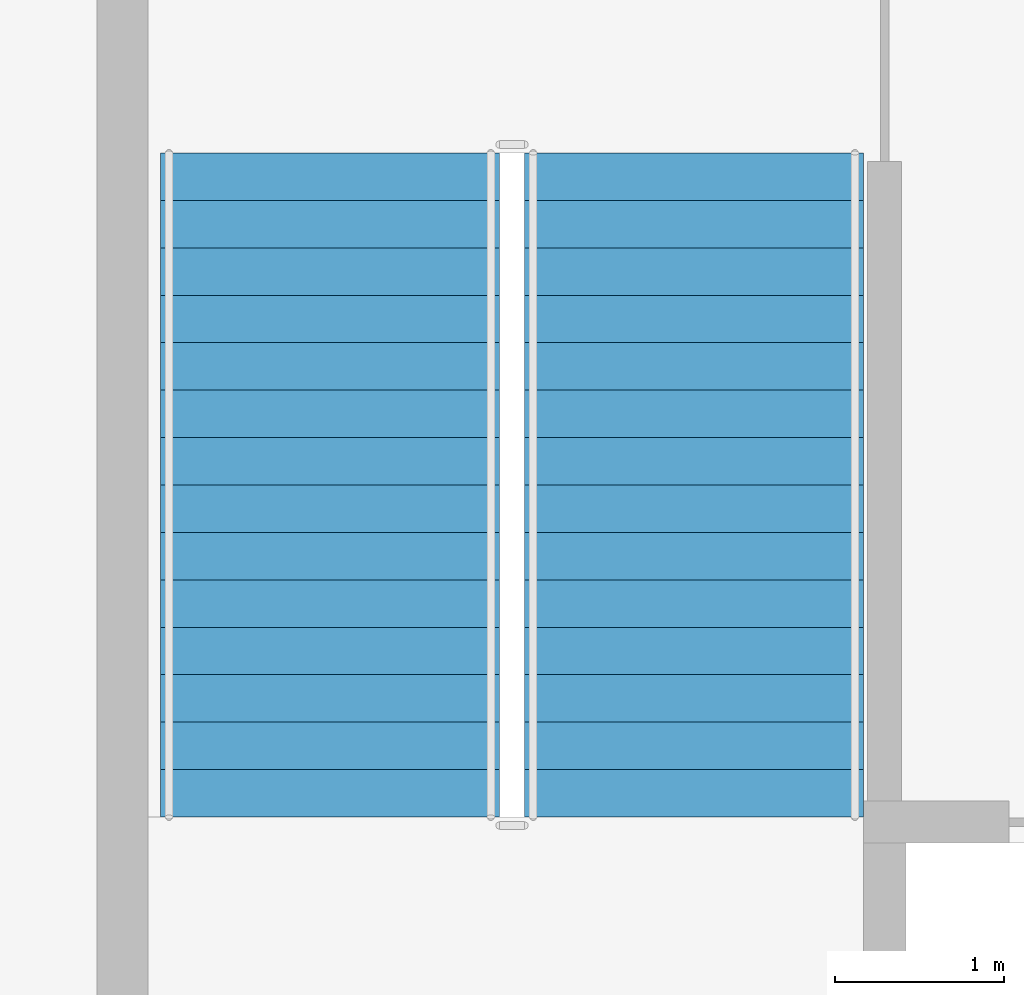
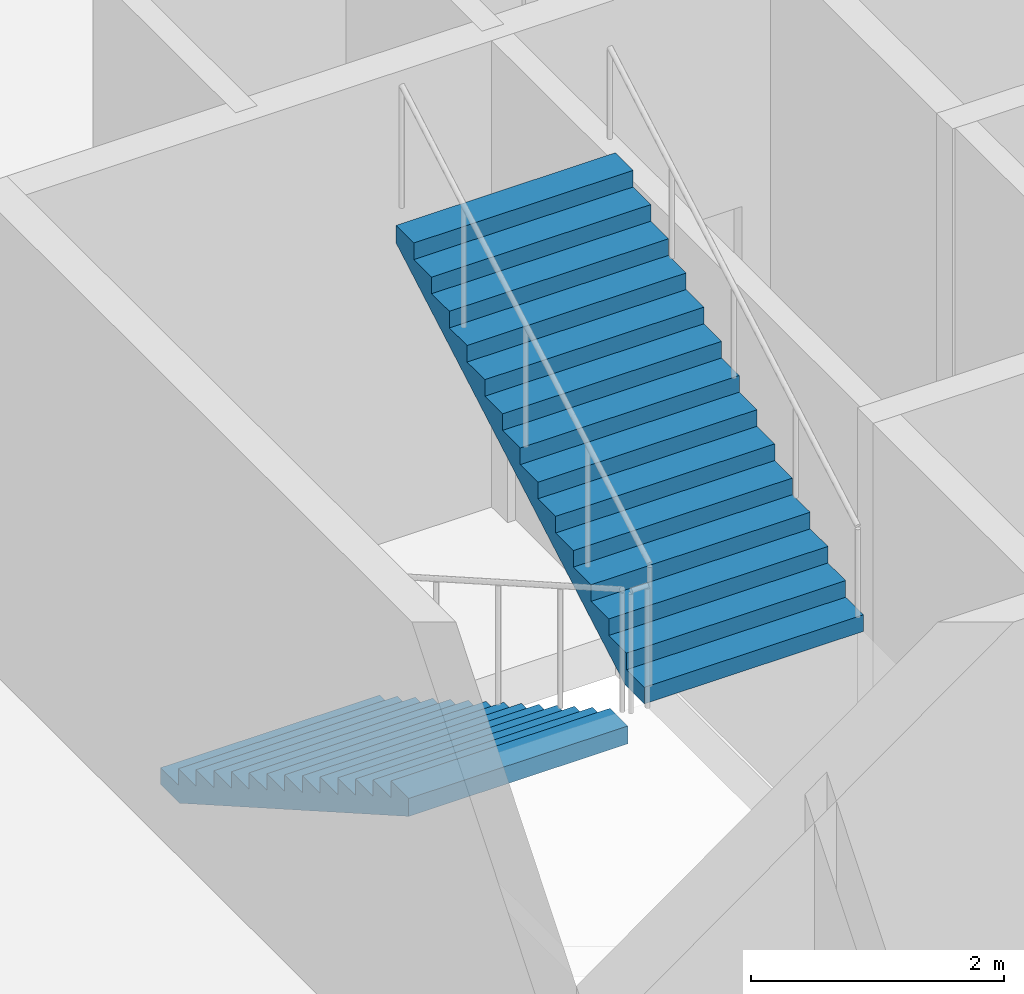
# One storey, part 5 of 10: 2 stair flights, 1 element without a shape of its own.
"""IFC4 building model written with IfcOpenShell, lengths in metres."""

import ifcopenshell
import ifcopenshell.guid

model = None  # the IFC model being written
_history = None  # IfcOwnerHistory: only IFC2X3 demands one
_inside = {}  # id of a spatial element -> (the spatial element, [elements in it])
_under = {}  # id of a project, library or spatial element -> (it, [spatial elements below it])
_declared = {}  # id of a project -> (the project, [libraries it declares])
_typed = {}  # id of a type object -> (the type object, [elements of that type])
_made_of = {}  # id of a material, layer set ... -> (it, [elements and type objects made of it])


def new_model(schema):
    """Start an empty IFC model of exactly this schema.

    Asked for "IFC4X3", IfcOpenShell would pick the latest addendum, in which some entities
    have other attributes; the version numbers below select the first issue.
    IFC2X3 requires an IfcOwnerHistory on every rooted entity: one is made here for all.
    """
    global model, _history
    if schema == "IFC4X3":
        model = ifcopenshell.file(schema_version=(4, 3, 0, 0))
    else:
        model = ifcopenshell.file(schema=schema)
    _inside.clear()
    _under.clear()
    _declared.clear()
    _typed.clear()
    _made_of.clear()
    _history = None
    if model.schema == "IFC2X3":
        org = make("IfcOrganization", Name="unknown")
        user = make(
            "IfcPersonAndOrganization",
            ThePerson=make("IfcPerson", FamilyName="unknown"),
            TheOrganization=org,
        )
        app = make(
            "IfcApplication",
            ApplicationDeveloper=org,
            Version="unknown",
            ApplicationFullName="unknown",
            ApplicationIdentifier="unknown",
        )
        _history = make(
            "IfcOwnerHistory",
            OwningUser=user,
            OwningApplication=app,
            ChangeAction="ADDED",
            CreationDate=0,
        )
    return model


def make(cls, **values):
    """One entity of the class cls with the attributes given. An attribute that is None is left unset."""
    return model.create_entity(
        cls, **{name: value for name, value in values.items() if value is not None}
    )


def rooted(cls, **values):
    """An entity with a GlobalId (a new one), such as an element, a storey or a relation."""
    return make(cls, GlobalId=ifcopenshell.guid.new(), OwnerHistory=_history, **values)


def si_unit(unit_type, name, prefix=None):
    """IfcSIUnit, for example si_unit("LENGTHUNIT", "METRE", prefix="MILLI")."""
    return make("IfcSIUnit", UnitType=unit_type, Prefix=prefix, Name=name)


def assignment(units):
    """IfcUnitAssignment: the units of a project."""
    return None if units is None else make("IfcUnitAssignment", Units=units)


def point(xyz):
    """IfcCartesianPoint."""
    return None if xyz is None else make("IfcCartesianPoint", Coordinates=xyz)


def direction(xyz):
    """IfcDirection."""
    return None if xyz is None else make("IfcDirection", DirectionRatios=xyz)


def frame(location, z_axis=None, x_axis=None):
    """IfcAxis2Placement3D, a coordinate frame: its origin and axes. An axis left out is left unset."""
    return make(
        "IfcAxis2Placement3D",
        Location=point(location),
        Axis=direction(z_axis),
        RefDirection=direction(x_axis),
    )


def origin():
    """The frame at (0, 0, 0) with its axes left unset."""
    return frame((0.0, 0.0, 0.0))


def place(relative_to, where):
    """IfcLocalPlacement: puts the frame where relative to a parent placement (None: the world)."""
    return make(
        "IfcLocalPlacement", PlacementRelTo=relative_to, RelativePlacement=where
    )


def context(
    kind, dimensions, precision=None, world=None, true_north=None, identifier=None
):
    """IfcGeometricRepresentationContext, for example the 3D "Model" context."""
    return make(
        "IfcGeometricRepresentationContext",
        ContextIdentifier=identifier,
        ContextType=kind,
        CoordinateSpaceDimension=dimensions,
        Precision=precision,
        WorldCoordinateSystem=world,
        TrueNorth=true_north,
    )


def subcontext(parent, identifier, kind, view, scale=None):
    """IfcGeometricRepresentationSubContext, for example "Body" below "Model"."""
    return make(
        "IfcGeometricRepresentationSubContext",
        ContextIdentifier=identifier,
        ContextType=kind,
        ParentContext=parent,
        TargetScale=scale,
        TargetView=view,
    )


def project(units=None, contexts=None):
    """IfcProject with its units and contexts."""
    return rooted(
        "IfcProject",
        Name="project",
        RepresentationContexts=contexts,
        UnitsInContext=assignment(units),
    )


def spatial(cls, under=None, at=None, **own):
    """A site, building, storey or space (cls), placed at a placement, below another one or the project."""
    s = rooted(cls, ObjectPlacement=at, **own)
    if under is not None:
        _under.setdefault(under.id(), (under, []))[1].append(s)
    return s


def point_list(points):
    """IfcCartesianPointList2D or 3D."""
    cls = (
        "IfcCartesianPointList2D" if len(points[0]) == 2 else "IfcCartesianPointList3D"
    )
    return make(cls, CoordList=points)


def polygons(points, faces, closed=None, point_numbers=None):
    """IfcPolygonalFaceSet: a face is its outer loop, then its inner loops; points numbered from 1."""
    made = []
    for loops in faces:
        if len(loops) == 1:
            made.append(make("IfcIndexedPolygonalFace", CoordIndex=loops[0]))
        else:
            made.append(
                make(
                    "IfcIndexedPolygonalFaceWithVoids",
                    CoordIndex=loops[0],
                    InnerCoordIndices=loops[1:],
                )
            )
    return make(
        "IfcPolygonalFaceSet",
        Coordinates=point_list(points),
        Closed=closed,
        Faces=made,
        PnIndex=point_numbers,
    )


def shape(context_of_items, identifier, shape_type, items):
    """IfcShapeRepresentation: the items that make up one representation, for example the "Body"."""
    return make(
        "IfcShapeRepresentation",
        ContextOfItems=context_of_items,
        RepresentationIdentifier=identifier,
        RepresentationType=shape_type,
        Items=items,
    )


def material(Name=None, Category=None):
    """IfcMaterial."""
    return make("IfcMaterial", Name=Name, Category=Category)


def made_of(thing, what):
    """Note that an element or type object is made of a material, layer set ...; save() writes the relation."""
    if what is not None:
        _made_of.setdefault(what.id(), (what, []))[1].append(thing)
    return thing


def type_object(cls, material=None, **own):
    """A type object (cls), such as IfcWallType, which elements share."""
    return made_of(rooted(cls, **own), material)


def element(
    cls,
    number,
    at=None,
    inside=None,
    cuts=None,
    type_object=None,
    material=None,
    context=None,
    identifier="Body",
    shape_type=None,
    held_by="IfcProductDefinitionShape",
    body=None,
    shapes=None,
    **own,
):
    """One element of the class cls, such as IfcWall. Its Tag is "e" and its number.

    at: its placement. inside: the storey or other place that contains it. cuts: it is an
    opening in that element (IfcRelVoidsElement). A single representation is given by context,
    identifier, shape_type and body (its items); several are given by shapes. held_by: the class
    of the entity that holds the representations. save() writes the other relations.
    """
    e = rooted(cls, Tag="e%d" % number, ObjectPlacement=at, **own)
    if body is not None:
        shapes = [shape(context, identifier, shape_type, body)]
    if shapes is not None:
        e.Representation = make(held_by, Representations=shapes)
    if inside is not None:
        _inside.setdefault(inside.id(), (inside, []))[1].append(e)
    if cuts is not None:
        rooted(
            "IfcRelVoidsElement", RelatingBuildingElement=cuts, RelatedOpeningElement=e
        )
    if type_object is not None:
        _typed.setdefault(type_object.id(), (type_object, []))[1].append(e)
    return made_of(e, material)


def aggregate(whole, parts):
    """IfcRelAggregates: a whole, such as a stair, and the parts it consists of."""
    return rooted("IfcRelAggregates", RelatingObject=whole, RelatedObjects=parts)


def save(model, path):
    """Write the relations noted so far, then the file.

    IfcRelAggregates (storeys below a building ...), IfcRelContainedInSpatialStructure (elements
    in a storey), IfcRelDefinesByType, IfcRelAssociatesMaterial and IfcRelDeclares: one each for
    every whole, place, type object, material and project.
    """
    for whole, parts in _under.values():
        aggregate(whole, parts)
    for where, things in _inside.values():
        rooted(
            "IfcRelContainedInSpatialStructure",
            RelatedElements=things,
            RelatingStructure=where,
        )
    for kind, things in _typed.values():
        rooted("IfcRelDefinesByType", RelatedObjects=things, RelatingType=kind)
    for what, things in _made_of.values():
        rooted("IfcRelAssociatesMaterial", RelatedObjects=things, RelatingMaterial=what)
    for by, libraries in _declared.values():
        rooted("IfcRelDeclares", RelatingContext=by, RelatedDefinitions=libraries)
    model.write(path)


model = new_model("IFC4")

# Units and contexts
model_context = context("Model", 3, precision=1e-05, world=origin(), true_north=direction((0.0, 1.0)))
body_context = subcontext(model_context, "Body", "Model", "MODEL_VIEW")
ifc_project = project(units=[si_unit("LENGTHUNIT", "METRE"), si_unit("AREAUNIT", "SQUARE_METRE"), si_unit("VOLUMEUNIT", "CUBIC_METRE"), si_unit("PLANEANGLEUNIT", "RADIAN"), si_unit("MASSUNIT", "GRAM", prefix="KILO")], contexts=[model_context])

# Site, building, storey
site_placement = place(None, origin())
site = spatial("IfcSite", under=ifc_project, at=site_placement, CompositionType="ELEMENT")
building_placement = place(site_placement, origin())
building = spatial("IfcBuilding", under=site, at=building_placement, Name="Caravel Reach Hotel and Residences", CompositionType="ELEMENT")
storey_placement = place(building_placement, frame((0.0, 0.0, 48.0)))
storey = spatial("IfcBuildingStorey", under=building, at=storey_placement, Name="L10", CompositionType="ELEMENT", Elevation=48.0)

# Stair, stair flights
ifc_material_1 = material(Name="Concrete C40", Category="concrete")
stair_type = type_object("IfcStairType", Name="Core stair", PredefinedType="HALF_TURN_STAIR", material=ifc_material_1)
stair_placement = place(storey_placement, origin())
stair = element("IfcStair", 1, at=stair_placement, inside=storey, type_object=stair_type, Name="L10 Exit stair A", PredefinedType="HALF_TURN_STAIR")
ifc_material_2 = material(Name="Concrete C40", Category="concrete")
stair_flight_type = type_object("IfcStairFlightType", Name="Core stair flight", PredefinedType="STRAIGHT", material=ifc_material_2)
stair_flight_1_placement = place(storey_placement, frame((19.22509765625, 29.35009765625, 0.0), z_axis=(0.0, 0.0, 1.0), x_axis=(0.0, -1.0, 0.0)))
stair_flight_1 = element("IfcStairFlight", 2, at=stair_flight_1_placement, type_object=stair_flight_type, Name="ST-A flight 1", NumberOfRisers=15, NumberOfTreads=14, PredefinedType="STRAIGHT", RiserHeight=0.16, TreadLength=0.28, context=body_context, shape_type="Tessellation", body=[
    polygons([(0.30213783309663755, 1.0, 0.0), (0.30213783309663755, 0.6666666666666667, 0.0), (0.30213783309663755, 0.33333333333333337, 0.0), (0.30213783309663755, 0.0, 0.0), (0.30213783309663755, -0.33333333333333326, 0.0), (0.30213783309663755, -0.6666666666666667, 0.0), (0.30213783309663755, -1.0, 0.0), (3.9210000000000003, 1.0, 2.0673498096590643), (3.9210000000000003, 0.6666666666666667, 2.0673498096590643), (3.9210000000000003, 0.33333333333333337, 2.0673498096590643), (3.9210000000000003, 0.0, 2.0673498096590643), (3.9210000000000003, -0.33333333333333326, 2.0673498096590643), (3.9210000000000003, -0.6666666666666667, 2.0673498096590643), (3.9210000000000003, -1.0, 2.0673498096590643), (3.9210000000000003, 1.0, 2.24), (3.9210000000000003, 0.6666666666666667, 2.24), (3.9210000000000003, 0.33333333333333337, 2.24), (3.9210000000000003, 0.0, 2.24), (3.9210000000000003, -0.33333333333333326, 2.24), (3.9210000000000003, -0.6666666666666667, 2.24), (3.9210000000000003, -1.0, 2.24), (3.6400000000000006, 1.0, 2.24), (3.6400000000000006, 0.6666666666666667, 2.24), (3.6400000000000006, 0.33333333333333337, 2.24), (3.6400000000000006, 0.0, 2.24), (3.6400000000000006, -0.33333333333333326, 2.24), (3.6400000000000006, -0.6666666666666667, 2.24), (3.6400000000000006, -1.0, 2.24), (3.6400000000000006, 1.0, 2.08), (3.6400000000000006, 0.6666666666666667, 2.08), (3.6400000000000006, 0.33333333333333337, 2.08), (3.6400000000000006, 0.0, 2.08), (3.6400000000000006, -0.33333333333333326, 2.08), (3.6400000000000006, -0.6666666666666667, 2.08), (3.6400000000000006, -1.0, 2.08), (3.3600000000000003, 1.0, 2.08), (3.3600000000000003, 0.6666666666666667, 2.08), (3.3600000000000003, 0.33333333333333337, 2.08), (3.3600000000000003, 0.0, 2.08), (3.3600000000000003, -0.33333333333333326, 2.08), (3.3600000000000003, -0.6666666666666667, 2.08), (3.3600000000000003, -1.0, 2.08), (3.3600000000000003, 1.0, 1.92), (3.3600000000000003, 0.6666666666666667, 1.92), (3.3600000000000003, 0.33333333333333337, 1.92), (3.3600000000000003, 0.0, 1.92), (3.3600000000000003, -0.33333333333333326, 1.92), (3.3600000000000003, -0.6666666666666667, 1.92), (3.3600000000000003, -1.0, 1.92), (3.08, 1.0, 1.92), (3.08, 0.6666666666666667, 1.92), (3.08, 0.33333333333333337, 1.92), (3.08, 0.0, 1.92), (3.08, -0.33333333333333326, 1.92), (3.08, -0.6666666666666667, 1.92), (3.08, -1.0, 1.92), (3.08, 1.0, 1.76), (3.08, 0.6666666666666667, 1.76), (3.08, 0.33333333333333337, 1.76), (3.08, 0.0, 1.76), (3.08, -0.33333333333333326, 1.76), (3.08, -0.6666666666666667, 1.76), (3.08, -1.0, 1.76), (2.8000000000000003, 1.0, 1.76), (2.8000000000000003, 0.6666666666666667, 1.76), (2.8000000000000003, 0.33333333333333337, 1.76), (2.8000000000000003, 0.0, 1.76), (2.8000000000000003, -0.33333333333333326, 1.76), (2.8000000000000003, -0.6666666666666667, 1.76), (2.8000000000000003, -1.0, 1.76), (2.8000000000000003, 1.0, 1.6), (2.8000000000000003, 0.6666666666666667, 1.6), (2.8000000000000003, 0.33333333333333337, 1.6), (2.8000000000000003, 0.0, 1.6), (2.8000000000000003, -0.33333333333333326, 1.6), (2.8000000000000003, -0.6666666666666667, 1.6), (2.8000000000000003, -1.0, 1.6), (2.5200000000000005, 1.0, 1.6), (2.5200000000000005, 0.6666666666666667, 1.6), (2.5200000000000005, 0.33333333333333337, 1.6), (2.5200000000000005, 0.0, 1.6), (2.5200000000000005, -0.33333333333333326, 1.6), (2.5200000000000005, -0.6666666666666667, 1.6), (2.5200000000000005, -1.0, 1.6), (2.5200000000000005, 1.0, 1.44), (2.5200000000000005, 0.6666666666666667, 1.44), (2.5200000000000005, 0.33333333333333337, 1.44), (2.5200000000000005, 0.0, 1.44), (2.5200000000000005, -0.33333333333333326, 1.44), (2.5200000000000005, -0.6666666666666667, 1.44), (2.5200000000000005, -1.0, 1.44), (2.24, 1.0, 1.44), (2.24, 0.6666666666666667, 1.44), (2.24, 0.33333333333333337, 1.44), (2.24, 0.0, 1.44), (2.24, -0.33333333333333326, 1.44), (2.24, -0.6666666666666667, 1.44), (2.24, -1.0, 1.44), (2.24, 1.0, 1.28), (2.24, 0.6666666666666667, 1.28), (2.24, 0.33333333333333337, 1.28), (2.24, 0.0, 1.28), (2.24, -0.33333333333333326, 1.28), (2.24, -0.6666666666666667, 1.28), (2.24, -1.0, 1.28), (1.9600000000000002, 1.0, 1.28), (1.9600000000000002, 0.6666666666666667, 1.28), (1.9600000000000002, 0.33333333333333337, 1.28), (1.9600000000000002, 0.0, 1.28), (1.9600000000000002, -0.33333333333333326, 1.28), (1.9600000000000002, -0.6666666666666667, 1.28), (1.9600000000000002, -1.0, 1.28), (1.9600000000000002, 1.0, 1.12), (1.9600000000000002, 0.6666666666666667, 1.12), (1.9600000000000002, 0.33333333333333337, 1.12), (1.9600000000000002, 0.0, 1.12), (1.9600000000000002, -0.33333333333333326, 1.12), (1.9600000000000002, -0.6666666666666667, 1.12), (1.9600000000000002, -1.0, 1.12), (1.6800000000000002, 1.0, 1.12), (1.6800000000000002, 0.6666666666666667, 1.12), (1.6800000000000002, 0.33333333333333337, 1.12), (1.6800000000000002, 0.0, 1.12), (1.6800000000000002, -0.33333333333333326, 1.12), (1.6800000000000002, -0.6666666666666667, 1.12), (1.6800000000000002, -1.0, 1.12), (1.6800000000000002, 1.0, 0.96), (1.6800000000000002, 0.6666666666666667, 0.96), (1.6800000000000002, 0.33333333333333337, 0.96), (1.6800000000000002, 0.0, 0.96), (1.6800000000000002, -0.33333333333333326, 0.96), (1.6800000000000002, -0.6666666666666667, 0.96), (1.6800000000000002, -1.0, 0.96), (1.4000000000000001, 1.0, 0.96), (1.4000000000000001, 0.6666666666666667, 0.96), (1.4000000000000001, 0.33333333333333337, 0.96), (1.4000000000000001, 0.0, 0.96), (1.4000000000000001, -0.33333333333333326, 0.96), (1.4000000000000001, -0.6666666666666667, 0.96), (1.4000000000000001, -1.0, 0.96), (1.4000000000000001, 1.0, 0.8), (1.4000000000000001, 0.6666666666666667, 0.8), (1.4000000000000001, 0.33333333333333337, 0.8), (1.4000000000000001, 0.0, 0.8), (1.4000000000000001, -0.33333333333333326, 0.8), (1.4000000000000001, -0.6666666666666667, 0.8), (1.4000000000000001, -1.0, 0.8), (1.12, 1.0, 0.8), (1.12, 0.6666666666666667, 0.8), (1.12, 0.33333333333333337, 0.8), (1.12, 0.0, 0.8), (1.12, -0.33333333333333326, 0.8), (1.12, -0.6666666666666667, 0.8), (1.12, -1.0, 0.8), (1.12, 1.0, 0.64), (1.12, 0.6666666666666667, 0.64), (1.12, 0.33333333333333337, 0.64), (1.12, 0.0, 0.64), (1.12, -0.33333333333333326, 0.64), (1.12, -0.6666666666666667, 0.64), (1.12, -1.0, 0.64), (0.8400000000000001, 1.0, 0.64), (0.8400000000000001, 0.6666666666666667, 0.64), (0.8400000000000001, 0.33333333333333337, 0.64), (0.8400000000000001, 0.0, 0.64), (0.8400000000000001, -0.33333333333333326, 0.64), (0.8400000000000001, -0.6666666666666667, 0.64), (0.8400000000000001, -1.0, 0.64), (0.8400000000000001, 1.0, 0.48), (0.8400000000000001, 0.6666666666666667, 0.48), (0.8400000000000001, 0.33333333333333337, 0.48), (0.8400000000000001, 0.0, 0.48), (0.8400000000000001, -0.33333333333333326, 0.48), (0.8400000000000001, -0.6666666666666667, 0.48), (0.8400000000000001, -1.0, 0.48), (0.56, 1.0, 0.48), (0.56, 0.6666666666666667, 0.48), (0.56, 0.33333333333333337, 0.48), (0.56, 0.0, 0.48), (0.56, -0.33333333333333326, 0.48), (0.56, -0.6666666666666667, 0.48), (0.56, -1.0, 0.48), (0.56, 1.0, 0.32), (0.56, 0.6666666666666667, 0.32), (0.56, 0.33333333333333337, 0.32), (0.56, 0.0, 0.32), (0.56, -0.33333333333333326, 0.32), (0.56, -0.6666666666666667, 0.32), (0.56, -1.0, 0.32), (0.28, 1.0, 0.32), (0.28, 0.6666666666666667, 0.32), (0.28, 0.33333333333333337, 0.32), (0.28, 0.0, 0.32), (0.28, -0.33333333333333326, 0.32), (0.28, -0.6666666666666667, 0.32), (0.28, -1.0, 0.32), (0.28, 1.0, 0.16), (0.28, 0.6666666666666667, 0.16), (0.28, 0.33333333333333337, 0.16), (0.28, 0.0, 0.16), (0.28, -0.33333333333333326, 0.16), (0.28, -0.6666666666666667, 0.16), (0.28, -1.0, 0.16), (-0.001, 1.0, 0.16), (-0.001, 0.6666666666666667, 0.16), (-0.001, 0.33333333333333337, 0.16), (-0.001, 0.0, 0.16), (-0.001, -0.33333333333333326, 0.16), (-0.001, -0.6666666666666667, 0.16), (-0.001, -1.0, 0.16), (-0.001, 1.0, 0.0), (-0.001, 0.6666666666666667, 0.0), (-0.001, 0.33333333333333337, 0.0), (-0.001, 0.0, 0.0), (-0.001, -0.33333333333333326, 0.0), (-0.001, -0.6666666666666667, 0.0), (-0.001, -1.0, 0.0)], [[[211, 204, 197, 190, 183, 176, 169, 162, 155, 148, 141, 134, 127, 120, 113, 106, 99, 92, 85, 78, 71, 64, 57, 50, 43, 36, 29, 22, 15, 8, 1]], [[7, 14, 21, 28, 35, 42, 49, 56, 63, 70, 77, 84, 91, 98, 105, 112, 119, 126, 133, 140, 147, 154, 161, 168, 175, 182, 189, 196, 203, 210, 217]], [[1, 8, 9, 2]], [[2, 9, 10, 3]], [[3, 10, 11, 4]], [[4, 11, 12, 5]], [[5, 12, 13, 6]], [[6, 13, 14, 7]], [[8, 15, 16, 9]], [[9, 16, 17, 10]], [[10, 17, 18, 11]], [[11, 18, 19, 12]], [[12, 19, 20, 13]], [[13, 20, 21, 14]], [[15, 22, 23, 16]], [[16, 23, 24, 17]], [[17, 24, 25, 18]], [[18, 25, 26, 19]], [[19, 26, 27, 20]], [[20, 27, 28, 21]], [[22, 29, 30, 23]], [[23, 30, 31, 24]], [[24, 31, 32, 25]], [[25, 32, 33, 26]], [[26, 33, 34, 27]], [[27, 34, 35, 28]], [[29, 36, 37, 30]], [[30, 37, 38, 31]], [[31, 38, 39, 32]], [[32, 39, 40, 33]], [[33, 40, 41, 34]], [[34, 41, 42, 35]], [[36, 43, 44, 37]], [[37, 44, 45, 38]], [[38, 45, 46, 39]], [[39, 46, 47, 40]], [[40, 47, 48, 41]], [[41, 48, 49, 42]], [[43, 50, 51, 44]], [[44, 51, 52, 45]], [[45, 52, 53, 46]], [[46, 53, 54, 47]], [[47, 54, 55, 48]], [[48, 55, 56, 49]], [[50, 57, 58, 51]], [[51, 58, 59, 52]], [[52, 59, 60, 53]], [[53, 60, 61, 54]], [[54, 61, 62, 55]], [[55, 62, 63, 56]], [[57, 64, 65, 58]], [[58, 65, 66, 59]], [[59, 66, 67, 60]], [[60, 67, 68, 61]], [[61, 68, 69, 62]], [[62, 69, 70, 63]], [[64, 71, 72, 65]], [[65, 72, 73, 66]], [[66, 73, 74, 67]], [[67, 74, 75, 68]], [[68, 75, 76, 69]], [[69, 76, 77, 70]], [[71, 78, 79, 72]], [[72, 79, 80, 73]], [[73, 80, 81, 74]], [[74, 81, 82, 75]], [[75, 82, 83, 76]], [[76, 83, 84, 77]], [[78, 85, 86, 79]], [[79, 86, 87, 80]], [[80, 87, 88, 81]], [[81, 88, 89, 82]], [[82, 89, 90, 83]], [[83, 90, 91, 84]], [[85, 92, 93, 86]], [[86, 93, 94, 87]], [[87, 94, 95, 88]], [[88, 95, 96, 89]], [[89, 96, 97, 90]], [[90, 97, 98, 91]], [[92, 99, 100, 93]], [[93, 100, 101, 94]], [[94, 101, 102, 95]], [[95, 102, 103, 96]], [[96, 103, 104, 97]], [[97, 104, 105, 98]], [[99, 106, 107, 100]], [[100, 107, 108, 101]], [[101, 108, 109, 102]], [[102, 109, 110, 103]], [[103, 110, 111, 104]], [[104, 111, 112, 105]], [[106, 113, 114, 107]], [[107, 114, 115, 108]], [[108, 115, 116, 109]], [[109, 116, 117, 110]], [[110, 117, 118, 111]], [[111, 118, 119, 112]], [[113, 120, 121, 114]], [[114, 121, 122, 115]], [[115, 122, 123, 116]], [[116, 123, 124, 117]], [[117, 124, 125, 118]], [[118, 125, 126, 119]], [[120, 127, 128, 121]], [[121, 128, 129, 122]], [[122, 129, 130, 123]], [[123, 130, 131, 124]], [[124, 131, 132, 125]], [[125, 132, 133, 126]], [[127, 134, 135, 128]], [[128, 135, 136, 129]], [[129, 136, 137, 130]], [[130, 137, 138, 131]], [[131, 138, 139, 132]], [[132, 139, 140, 133]], [[134, 141, 142, 135]], [[135, 142, 143, 136]], [[136, 143, 144, 137]], [[137, 144, 145, 138]], [[138, 145, 146, 139]], [[139, 146, 147, 140]], [[141, 148, 149, 142]], [[142, 149, 150, 143]], [[143, 150, 151, 144]], [[144, 151, 152, 145]], [[145, 152, 153, 146]], [[146, 153, 154, 147]], [[148, 155, 156, 149]], [[149, 156, 157, 150]], [[150, 157, 158, 151]], [[151, 158, 159, 152]], [[152, 159, 160, 153]], [[153, 160, 161, 154]], [[155, 162, 163, 156]], [[156, 163, 164, 157]], [[157, 164, 165, 158]], [[158, 165, 166, 159]], [[159, 166, 167, 160]], [[160, 167, 168, 161]], [[162, 169, 170, 163]], [[163, 170, 171, 164]], [[164, 171, 172, 165]], [[165, 172, 173, 166]], [[166, 173, 174, 167]], [[167, 174, 175, 168]], [[169, 176, 177, 170]], [[170, 177, 178, 171]], [[171, 178, 179, 172]], [[172, 179, 180, 173]], [[173, 180, 181, 174]], [[174, 181, 182, 175]], [[176, 183, 184, 177]], [[177, 184, 185, 178]], [[178, 185, 186, 179]], [[179, 186, 187, 180]], [[180, 187, 188, 181]], [[181, 188, 189, 182]], [[183, 190, 191, 184]], [[184, 191, 192, 185]], [[185, 192, 193, 186]], [[186, 193, 194, 187]], [[187, 194, 195, 188]], [[188, 195, 196, 189]], [[190, 197, 198, 191]], [[191, 198, 199, 192]], [[192, 199, 200, 193]], [[193, 200, 201, 194]], [[194, 201, 202, 195]], [[195, 202, 203, 196]], [[197, 204, 205, 198]], [[198, 205, 206, 199]], [[199, 206, 207, 200]], [[200, 207, 208, 201]], [[201, 208, 209, 202]], [[202, 209, 210, 203]], [[204, 211, 212, 205]], [[205, 212, 213, 206]], [[206, 213, 214, 207]], [[207, 214, 215, 208]], [[208, 215, 216, 209]], [[209, 216, 217, 210]], [[211, 1, 2, 212]], [[212, 2, 3, 213]], [[213, 3, 4, 214]], [[214, 4, 5, 215]], [[215, 5, 6, 216]], [[216, 6, 7, 217]]], closed=True),
])
stair_flight_2_placement = place(storey_placement, frame((21.375, 25.429931640625, 2.39990234375), z_axis=(0.0, 0.0, 1.0), x_axis=(0.0, 1.0, 0.0)))
stair_flight_2 = element("IfcStairFlight", 3, at=stair_flight_2_placement, type_object=stair_flight_type, Name="ST-A flight 2", NumberOfRisers=15, NumberOfTreads=14, PredefinedType="STRAIGHT", RiserHeight=0.16, TreadLength=0.28, context=body_context, shape_type="Tessellation", body=[
    polygons([(0.30213783309663755, 1.0, 0.0), (0.30213783309663755, 0.6666666666666667, 0.0), (0.30213783309663755, 0.33333333333333337, 0.0), (0.30213783309663755, 0.0, 0.0), (0.30213783309663755, -0.33333333333333326, 0.0), (0.30213783309663755, -0.6666666666666667, 0.0), (0.30213783309663755, -1.0, 0.0), (3.9210000000000003, 1.0, 2.0673498096590643), (3.9210000000000003, 0.6666666666666667, 2.0673498096590643), (3.9210000000000003, 0.33333333333333337, 2.0673498096590643), (3.9210000000000003, 0.0, 2.0673498096590643), (3.9210000000000003, -0.33333333333333326, 2.0673498096590643), (3.9210000000000003, -0.6666666666666667, 2.0673498096590643), (3.9210000000000003, -1.0, 2.0673498096590643), (3.9210000000000003, 1.0, 2.24), (3.9210000000000003, 0.6666666666666667, 2.24), (3.9210000000000003, 0.33333333333333337, 2.24), (3.9210000000000003, 0.0, 2.24), (3.9210000000000003, -0.33333333333333326, 2.24), (3.9210000000000003, -0.6666666666666667, 2.24), (3.9210000000000003, -1.0, 2.24), (3.6400000000000006, 1.0, 2.24), (3.6400000000000006, 0.6666666666666667, 2.24), (3.6400000000000006, 0.33333333333333337, 2.24), (3.6400000000000006, 0.0, 2.24), (3.6400000000000006, -0.33333333333333326, 2.24), (3.6400000000000006, -0.6666666666666667, 2.24), (3.6400000000000006, -1.0, 2.24), (3.6400000000000006, 1.0, 2.08), (3.6400000000000006, 0.6666666666666667, 2.08), (3.6400000000000006, 0.33333333333333337, 2.08), (3.6400000000000006, 0.0, 2.08), (3.6400000000000006, -0.33333333333333326, 2.08), (3.6400000000000006, -0.6666666666666667, 2.08), (3.6400000000000006, -1.0, 2.08), (3.3600000000000003, 1.0, 2.08), (3.3600000000000003, 0.6666666666666667, 2.08), (3.3600000000000003, 0.33333333333333337, 2.08), (3.3600000000000003, 0.0, 2.08), (3.3600000000000003, -0.33333333333333326, 2.08), (3.3600000000000003, -0.6666666666666667, 2.08), (3.3600000000000003, -1.0, 2.08), (3.3600000000000003, 1.0, 1.92), (3.3600000000000003, 0.6666666666666667, 1.92), (3.3600000000000003, 0.33333333333333337, 1.92), (3.3600000000000003, 0.0, 1.92), (3.3600000000000003, -0.33333333333333326, 1.92), (3.3600000000000003, -0.6666666666666667, 1.92), (3.3600000000000003, -1.0, 1.92), (3.08, 1.0, 1.92), (3.08, 0.6666666666666667, 1.92), (3.08, 0.33333333333333337, 1.92), (3.08, 0.0, 1.92), (3.08, -0.33333333333333326, 1.92), (3.08, -0.6666666666666667, 1.92), (3.08, -1.0, 1.92), (3.08, 1.0, 1.76), (3.08, 0.6666666666666667, 1.76), (3.08, 0.33333333333333337, 1.76), (3.08, 0.0, 1.76), (3.08, -0.33333333333333326, 1.76), (3.08, -0.6666666666666667, 1.76), (3.08, -1.0, 1.76), (2.8000000000000003, 1.0, 1.76), (2.8000000000000003, 0.6666666666666667, 1.76), (2.8000000000000003, 0.33333333333333337, 1.76), (2.8000000000000003, 0.0, 1.76), (2.8000000000000003, -0.33333333333333326, 1.76), (2.8000000000000003, -0.6666666666666667, 1.76), (2.8000000000000003, -1.0, 1.76), (2.8000000000000003, 1.0, 1.6), (2.8000000000000003, 0.6666666666666667, 1.6), (2.8000000000000003, 0.33333333333333337, 1.6), (2.8000000000000003, 0.0, 1.6), (2.8000000000000003, -0.33333333333333326, 1.6), (2.8000000000000003, -0.6666666666666667, 1.6), (2.8000000000000003, -1.0, 1.6), (2.5200000000000005, 1.0, 1.6), (2.5200000000000005, 0.6666666666666667, 1.6), (2.5200000000000005, 0.33333333333333337, 1.6), (2.5200000000000005, 0.0, 1.6), (2.5200000000000005, -0.33333333333333326, 1.6), (2.5200000000000005, -0.6666666666666667, 1.6), (2.5200000000000005, -1.0, 1.6), (2.5200000000000005, 1.0, 1.44), (2.5200000000000005, 0.6666666666666667, 1.44), (2.5200000000000005, 0.33333333333333337, 1.44), (2.5200000000000005, 0.0, 1.44), (2.5200000000000005, -0.33333333333333326, 1.44), (2.5200000000000005, -0.6666666666666667, 1.44), (2.5200000000000005, -1.0, 1.44), (2.24, 1.0, 1.44), (2.24, 0.6666666666666667, 1.44), (2.24, 0.33333333333333337, 1.44), (2.24, 0.0, 1.44), (2.24, -0.33333333333333326, 1.44), (2.24, -0.6666666666666667, 1.44), (2.24, -1.0, 1.44), (2.24, 1.0, 1.28), (2.24, 0.6666666666666667, 1.28), (2.24, 0.33333333333333337, 1.28), (2.24, 0.0, 1.28), (2.24, -0.33333333333333326, 1.28), (2.24, -0.6666666666666667, 1.28), (2.24, -1.0, 1.28), (1.9600000000000002, 1.0, 1.28), (1.9600000000000002, 0.6666666666666667, 1.28), (1.9600000000000002, 0.33333333333333337, 1.28), (1.9600000000000002, 0.0, 1.28), (1.9600000000000002, -0.33333333333333326, 1.28), (1.9600000000000002, -0.6666666666666667, 1.28), (1.9600000000000002, -1.0, 1.28), (1.9600000000000002, 1.0, 1.12), (1.9600000000000002, 0.6666666666666667, 1.12), (1.9600000000000002, 0.33333333333333337, 1.12), (1.9600000000000002, 0.0, 1.12), (1.9600000000000002, -0.33333333333333326, 1.12), (1.9600000000000002, -0.6666666666666667, 1.12), (1.9600000000000002, -1.0, 1.12), (1.6800000000000002, 1.0, 1.12), (1.6800000000000002, 0.6666666666666667, 1.12), (1.6800000000000002, 0.33333333333333337, 1.12), (1.6800000000000002, 0.0, 1.12), (1.6800000000000002, -0.33333333333333326, 1.12), (1.6800000000000002, -0.6666666666666667, 1.12), (1.6800000000000002, -1.0, 1.12), (1.6800000000000002, 1.0, 0.96), (1.6800000000000002, 0.6666666666666667, 0.96), (1.6800000000000002, 0.33333333333333337, 0.96), (1.6800000000000002, 0.0, 0.96), (1.6800000000000002, -0.33333333333333326, 0.96), (1.6800000000000002, -0.6666666666666667, 0.96), (1.6800000000000002, -1.0, 0.96), (1.4000000000000001, 1.0, 0.96), (1.4000000000000001, 0.6666666666666667, 0.96), (1.4000000000000001, 0.33333333333333337, 0.96), (1.4000000000000001, 0.0, 0.96), (1.4000000000000001, -0.33333333333333326, 0.96), (1.4000000000000001, -0.6666666666666667, 0.96), (1.4000000000000001, -1.0, 0.96), (1.4000000000000001, 1.0, 0.8), (1.4000000000000001, 0.6666666666666667, 0.8), (1.4000000000000001, 0.33333333333333337, 0.8), (1.4000000000000001, 0.0, 0.8), (1.4000000000000001, -0.33333333333333326, 0.8), (1.4000000000000001, -0.6666666666666667, 0.8), (1.4000000000000001, -1.0, 0.8), (1.12, 1.0, 0.8), (1.12, 0.6666666666666667, 0.8), (1.12, 0.33333333333333337, 0.8), (1.12, 0.0, 0.8), (1.12, -0.33333333333333326, 0.8), (1.12, -0.6666666666666667, 0.8), (1.12, -1.0, 0.8), (1.12, 1.0, 0.64), (1.12, 0.6666666666666667, 0.64), (1.12, 0.33333333333333337, 0.64), (1.12, 0.0, 0.64), (1.12, -0.33333333333333326, 0.64), (1.12, -0.6666666666666667, 0.64), (1.12, -1.0, 0.64), (0.8400000000000001, 1.0, 0.64), (0.8400000000000001, 0.6666666666666667, 0.64), (0.8400000000000001, 0.33333333333333337, 0.64), (0.8400000000000001, 0.0, 0.64), (0.8400000000000001, -0.33333333333333326, 0.64), (0.8400000000000001, -0.6666666666666667, 0.64), (0.8400000000000001, -1.0, 0.64), (0.8400000000000001, 1.0, 0.48), (0.8400000000000001, 0.6666666666666667, 0.48), (0.8400000000000001, 0.33333333333333337, 0.48), (0.8400000000000001, 0.0, 0.48), (0.8400000000000001, -0.33333333333333326, 0.48), (0.8400000000000001, -0.6666666666666667, 0.48), (0.8400000000000001, -1.0, 0.48), (0.56, 1.0, 0.48), (0.56, 0.6666666666666667, 0.48), (0.56, 0.33333333333333337, 0.48), (0.56, 0.0, 0.48), (0.56, -0.33333333333333326, 0.48), (0.56, -0.6666666666666667, 0.48), (0.56, -1.0, 0.48), (0.56, 1.0, 0.32), (0.56, 0.6666666666666667, 0.32), (0.56, 0.33333333333333337, 0.32), (0.56, 0.0, 0.32), (0.56, -0.33333333333333326, 0.32), (0.56, -0.6666666666666667, 0.32), (0.56, -1.0, 0.32), (0.28, 1.0, 0.32), (0.28, 0.6666666666666667, 0.32), (0.28, 0.33333333333333337, 0.32), (0.28, 0.0, 0.32), (0.28, -0.33333333333333326, 0.32), (0.28, -0.6666666666666667, 0.32), (0.28, -1.0, 0.32), (0.28, 1.0, 0.16), (0.28, 0.6666666666666667, 0.16), (0.28, 0.33333333333333337, 0.16), (0.28, 0.0, 0.16), (0.28, -0.33333333333333326, 0.16), (0.28, -0.6666666666666667, 0.16), (0.28, -1.0, 0.16), (-0.001, 1.0, 0.16), (-0.001, 0.6666666666666667, 0.16), (-0.001, 0.33333333333333337, 0.16), (-0.001, 0.0, 0.16), (-0.001, -0.33333333333333326, 0.16), (-0.001, -0.6666666666666667, 0.16), (-0.001, -1.0, 0.16), (-0.001, 1.0, 0.0), (-0.001, 0.6666666666666667, 0.0), (-0.001, 0.33333333333333337, 0.0), (-0.001, 0.0, 0.0), (-0.001, -0.33333333333333326, 0.0), (-0.001, -0.6666666666666667, 0.0), (-0.001, -1.0, 0.0)], [[[211, 204, 197, 190, 183, 176, 169, 162, 155, 148, 141, 134, 127, 120, 113, 106, 99, 92, 85, 78, 71, 64, 57, 50, 43, 36, 29, 22, 15, 8, 1]], [[7, 14, 21, 28, 35, 42, 49, 56, 63, 70, 77, 84, 91, 98, 105, 112, 119, 126, 133, 140, 147, 154, 161, 168, 175, 182, 189, 196, 203, 210, 217]], [[1, 8, 9, 2]], [[2, 9, 10, 3]], [[3, 10, 11, 4]], [[4, 11, 12, 5]], [[5, 12, 13, 6]], [[6, 13, 14, 7]], [[8, 15, 16, 9]], [[9, 16, 17, 10]], [[10, 17, 18, 11]], [[11, 18, 19, 12]], [[12, 19, 20, 13]], [[13, 20, 21, 14]], [[15, 22, 23, 16]], [[16, 23, 24, 17]], [[17, 24, 25, 18]], [[18, 25, 26, 19]], [[19, 26, 27, 20]], [[20, 27, 28, 21]], [[22, 29, 30, 23]], [[23, 30, 31, 24]], [[24, 31, 32, 25]], [[25, 32, 33, 26]], [[26, 33, 34, 27]], [[27, 34, 35, 28]], [[29, 36, 37, 30]], [[30, 37, 38, 31]], [[31, 38, 39, 32]], [[32, 39, 40, 33]], [[33, 40, 41, 34]], [[34, 41, 42, 35]], [[36, 43, 44, 37]], [[37, 44, 45, 38]], [[38, 45, 46, 39]], [[39, 46, 47, 40]], [[40, 47, 48, 41]], [[41, 48, 49, 42]], [[43, 50, 51, 44]], [[44, 51, 52, 45]], [[45, 52, 53, 46]], [[46, 53, 54, 47]], [[47, 54, 55, 48]], [[48, 55, 56, 49]], [[50, 57, 58, 51]], [[51, 58, 59, 52]], [[52, 59, 60, 53]], [[53, 60, 61, 54]], [[54, 61, 62, 55]], [[55, 62, 63, 56]], [[57, 64, 65, 58]], [[58, 65, 66, 59]], [[59, 66, 67, 60]], [[60, 67, 68, 61]], [[61, 68, 69, 62]], [[62, 69, 70, 63]], [[64, 71, 72, 65]], [[65, 72, 73, 66]], [[66, 73, 74, 67]], [[67, 74, 75, 68]], [[68, 75, 76, 69]], [[69, 76, 77, 70]], [[71, 78, 79, 72]], [[72, 79, 80, 73]], [[73, 80, 81, 74]], [[74, 81, 82, 75]], [[75, 82, 83, 76]], [[76, 83, 84, 77]], [[78, 85, 86, 79]], [[79, 86, 87, 80]], [[80, 87, 88, 81]], [[81, 88, 89, 82]], [[82, 89, 90, 83]], [[83, 90, 91, 84]], [[85, 92, 93, 86]], [[86, 93, 94, 87]], [[87, 94, 95, 88]], [[88, 95, 96, 89]], [[89, 96, 97, 90]], [[90, 97, 98, 91]], [[92, 99, 100, 93]], [[93, 100, 101, 94]], [[94, 101, 102, 95]], [[95, 102, 103, 96]], [[96, 103, 104, 97]], [[97, 104, 105, 98]], [[99, 106, 107, 100]], [[100, 107, 108, 101]], [[101, 108, 109, 102]], [[102, 109, 110, 103]], [[103, 110, 111, 104]], [[104, 111, 112, 105]], [[106, 113, 114, 107]], [[107, 114, 115, 108]], [[108, 115, 116, 109]], [[109, 116, 117, 110]], [[110, 117, 118, 111]], [[111, 118, 119, 112]], [[113, 120, 121, 114]], [[114, 121, 122, 115]], [[115, 122, 123, 116]], [[116, 123, 124, 117]], [[117, 124, 125, 118]], [[118, 125, 126, 119]], [[120, 127, 128, 121]], [[121, 128, 129, 122]], [[122, 129, 130, 123]], [[123, 130, 131, 124]], [[124, 131, 132, 125]], [[125, 132, 133, 126]], [[127, 134, 135, 128]], [[128, 135, 136, 129]], [[129, 136, 137, 130]], [[130, 137, 138, 131]], [[131, 138, 139, 132]], [[132, 139, 140, 133]], [[134, 141, 142, 135]], [[135, 142, 143, 136]], [[136, 143, 144, 137]], [[137, 144, 145, 138]], [[138, 145, 146, 139]], [[139, 146, 147, 140]], [[141, 148, 149, 142]], [[142, 149, 150, 143]], [[143, 150, 151, 144]], [[144, 151, 152, 145]], [[145, 152, 153, 146]], [[146, 153, 154, 147]], [[148, 155, 156, 149]], [[149, 156, 157, 150]], [[150, 157, 158, 151]], [[151, 158, 159, 152]], [[152, 159, 160, 153]], [[153, 160, 161, 154]], [[155, 162, 163, 156]], [[156, 163, 164, 157]], [[157, 164, 165, 158]], [[158, 165, 166, 159]], [[159, 166, 167, 160]], [[160, 167, 168, 161]], [[162, 169, 170, 163]], [[163, 170, 171, 164]], [[164, 171, 172, 165]], [[165, 172, 173, 166]], [[166, 173, 174, 167]], [[167, 174, 175, 168]], [[169, 176, 177, 170]], [[170, 177, 178, 171]], [[171, 178, 179, 172]], [[172, 179, 180, 173]], [[173, 180, 181, 174]], [[174, 181, 182, 175]], [[176, 183, 184, 177]], [[177, 184, 185, 178]], [[178, 185, 186, 179]], [[179, 186, 187, 180]], [[180, 187, 188, 181]], [[181, 188, 189, 182]], [[183, 190, 191, 184]], [[184, 191, 192, 185]], [[185, 192, 193, 186]], [[186, 193, 194, 187]], [[187, 194, 195, 188]], [[188, 195, 196, 189]], [[190, 197, 198, 191]], [[191, 198, 199, 192]], [[192, 199, 200, 193]], [[193, 200, 201, 194]], [[194, 201, 202, 195]], [[195, 202, 203, 196]], [[197, 204, 205, 198]], [[198, 205, 206, 199]], [[199, 206, 207, 200]], [[200, 207, 208, 201]], [[201, 208, 209, 202]], [[202, 209, 210, 203]], [[204, 211, 212, 205]], [[205, 212, 213, 206]], [[206, 213, 214, 207]], [[207, 214, 215, 208]], [[208, 215, 216, 209]], [[209, 216, 217, 210]], [[211, 1, 2, 212]], [[212, 2, 3, 213]], [[213, 3, 4, 214]], [[214, 4, 5, 215]], [[215, 5, 6, 216]], [[216, 6, 7, 217]]], closed=True),
])
aggregate(stair, [stair_flight_1, stair_flight_2])

save(model, "model.ifc")
